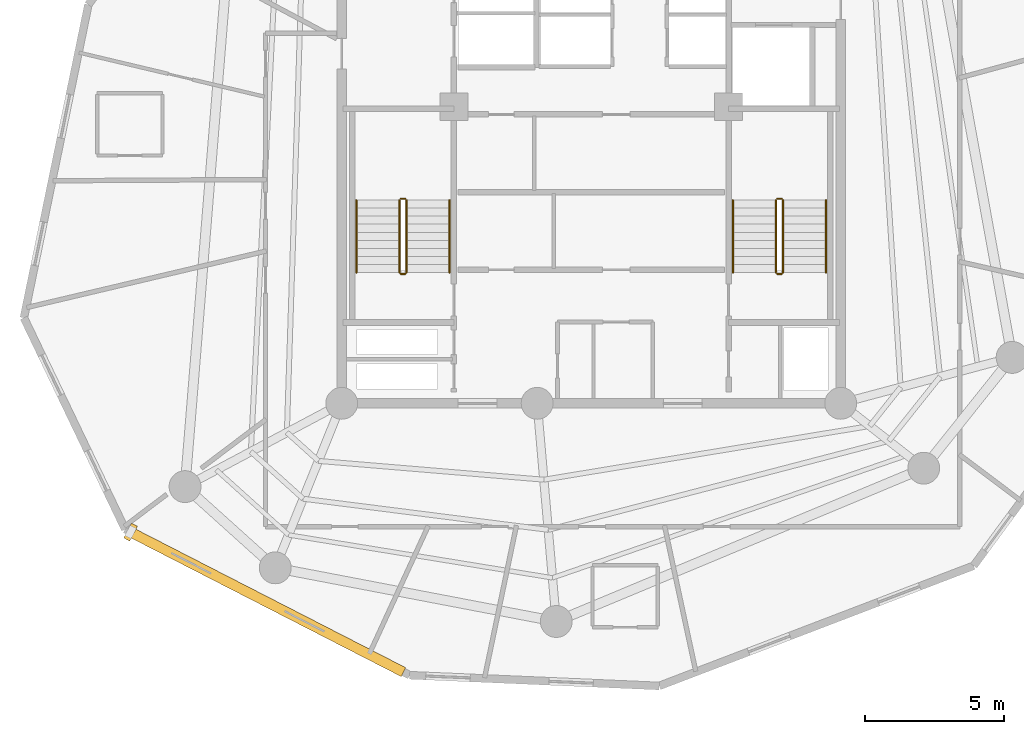
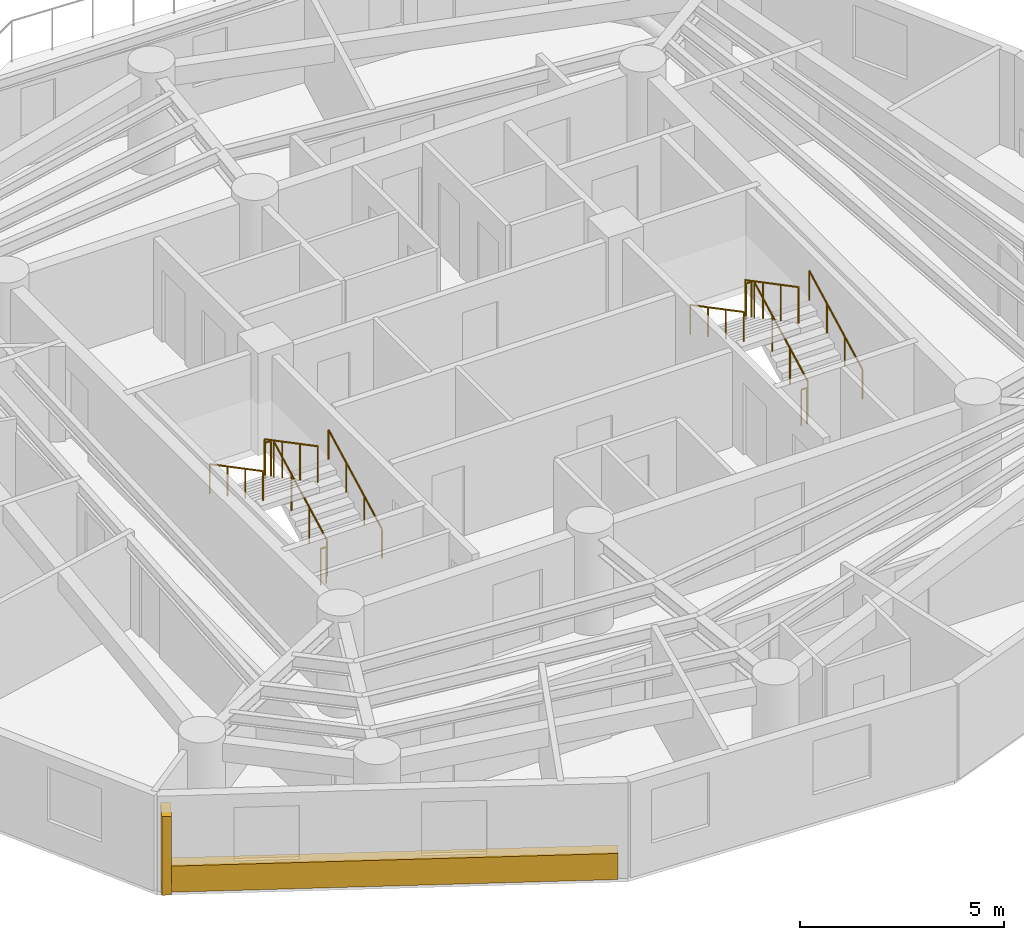
# One storey, part 7 of 8: 12 railings, 1 covering, 1 shading device.
"""IFC4 building model written with IfcOpenShell, lengths in metres."""

from ifc_helpers import new_model, si_unit, direction, frame, origin, origin_with_axes, origin_2d, place, context, subcontext, project, spatial, rectangle, circle, extrude, source, transform, mapped, material, layer, layer_set, type_object, element, save


model = new_model("IFC4")

# Units and contexts
model_context = context("Model", 3, precision=1e-05, world=origin(), true_north=direction((0.0, 1.0)))
body_context = subcontext(model_context, "Body", "Model", "MODEL_VIEW")
ifc_project = project(units=[si_unit("LENGTHUNIT", "METRE"), si_unit("AREAUNIT", "SQUARE_METRE"), si_unit("VOLUMEUNIT", "CUBIC_METRE"), si_unit("PLANEANGLEUNIT", "RADIAN"), si_unit("MASSUNIT", "GRAM", prefix="KILO")], contexts=[model_context])

# Site, building, storey
site_placement = place(None, origin())
site = spatial("IfcSite", under=ifc_project, at=site_placement, CompositionType="ELEMENT")
building_placement = place(site_placement, origin())
building = spatial("IfcBuilding", under=site, at=building_placement, Name="Karkom Vertical University and Central Library", CompositionType="ELEMENT")
storey_placement = place(building_placement, frame((0.0, 0.0, 250.449951171875)))
storey = spatial("IfcBuildingStorey", under=building, at=storey_placement, Name="L74", CompositionType="ELEMENT", Elevation=250.449951171875)

# Railings
ifc_material_1 = material(Name="Painted galvanised steel balustrade", Category="steel")
ifc_layer_1 = layer(ifc_material_1, 0.06005859375)
ifc_layer_set_1 = layer_set([ifc_layer_1], Name="Painted galvanised steel balustrade")
railing_type_1 = type_object("IfcRailingType", Name="INT-RL-GUARD1100", PredefinedType="GUARDRAIL", material=ifc_layer_set_1)
railing_1_placement = place(storey_placement, frame((21.840087890625, 23.02001953125, 0.152587890625)))
element("IfcRailing", 1, at=railing_1_placement, inside=storey, type_object=railing_type_1, Name="Level 74 ST-1 stair guard 1", PredefinedType="GUARDRAIL", context=body_context, shape_type="SweptSolid", body=[
    extrude(circle(Radius=0.02392578125, at=origin_2d()), frame((0.0, 0.0, 1.076171875), z_axis=(0.0, 0.885065446896, 0.46546659892), x_axis=(-1.0, 0.0, 0.0)), (0.0, 0.0, 1.0), 2.94873046875),
    extrude(circle(Radius=0.02099609375, at=origin_2d()), origin(), (0.0, 0.0, 1.0), 1.052001953125),
    extrude(circle(Radius=0.02099609375, at=origin_2d()), frame((0.0, 0.869873046875, 0.45751953125)), (0.0, 0.0, 1.0), 1.052001953125),
    extrude(circle(Radius=0.02099609375, at=origin_2d()), frame((0.0, 1.739990234375, 0.9150390625)), (0.0, 0.0, 1.0), 1.052001953125),
    extrude(circle(Radius=0.02099609375, at=origin_2d()), frame((0.0, 2.60986328125, 1.37255859375)), (0.0, 0.0, 1.0), 1.052001953125),
])
railing_2_placement = place(storey_placement, frame((21.7900390625, 25.679931640625, 1.525146484375)))
element("IfcRailing", 2, at=railing_2_placement, inside=storey, type_object=railing_type_1, Name="Level 74 ST-1 stair guard 2", PredefinedType="GUARDRAIL", context=body_context, shape_type="SweptSolid", body=[
    extrude(circle(Radius=0.02392578125, at=origin_2d()), frame((0.0, 0.0, 1.076171875), z_axis=(-1.0, 0.0, 0.0), x_axis=(0.0, -1.0, 0.0)), (0.0, 0.0, 1.0), 0.16015625),
    extrude(circle(Radius=0.02099609375, at=origin_2d()), origin(), (0.0, 0.0, 1.0), 1.052001953125),
    extrude(circle(Radius=0.02099609375, at=origin_2d()), frame((-0.16015625, 0.0, 0.0)), (0.0, 0.0, 1.0), 1.052001953125),
])
railing_3_placement = place(storey_placement, frame((21.580078125, 25.6298828125, 1.677490234375)))
element("IfcRailing", 3, at=railing_3_placement, inside=storey, type_object=railing_type_1, Name="Level 74 ST-1 stair guard 3", PredefinedType="GUARDRAIL", context=body_context, shape_type="SweptSolid", body=[
    extrude(circle(Radius=0.02392578125, at=origin_2d()), frame((0.0, 0.0, 1.076171875), z_axis=(0.0, -0.885065446896, 0.46546659892), x_axis=(1.0, 0.0, 0.0)), (0.0, 0.0, 1.0), 2.94873046875),
    extrude(circle(Radius=0.02099609375, at=origin_2d()), origin(), (0.0, 0.0, 1.0), 1.052001953125),
    extrude(circle(Radius=0.02099609375, at=origin_2d()), frame((0.0, -0.869873046875, 0.45751953125)), (0.0, 0.0, 1.0), 1.052001953125),
    extrude(circle(Radius=0.02099609375, at=origin_2d()), frame((0.0, -1.739990234375, 0.9150390625)), (0.0, 0.0, 1.0), 1.052001953125),
    extrude(circle(Radius=0.02099609375, at=origin_2d()), frame((0.0, -2.60986328125, 1.37255859375)), (0.0, 0.0, 1.0), 1.052001953125),
])
railing_4_placement = place(storey_placement, frame((21.7900390625, 22.969970703125, 0.0)))
element("IfcRailing", 4, at=railing_4_placement, inside=storey, type_object=railing_type_1, Name="Level 74 ST-1 stair guard 4", PredefinedType="GUARDRAIL", context=body_context, shape_type="SweptSolid", body=[
    extrude(circle(Radius=0.02392578125, at=origin_2d()), frame((0.0, 0.0, 1.076171875), z_axis=(-1.0, 0.0, 0.0), x_axis=(0.0, -1.0, 0.0)), (0.0, 0.0, 1.0), 0.16015625),
    extrude(circle(Radius=0.02099609375, at=origin_2d()), origin(), (0.0, 0.0, 1.0), 1.052001953125),
    extrude(circle(Radius=0.02099609375, at=origin_2d()), frame((-0.16015625, 0.0, 0.0)), (0.0, 0.0, 1.0), 1.052001953125),
])
railing_5_placement = place(storey_placement, frame((35.419921875, 23.02001953125, 0.152587890625)))
element("IfcRailing", 5, at=railing_5_placement, inside=storey, type_object=railing_type_1, Name="Level 74 ST-2 stair guard 1", PredefinedType="GUARDRAIL", context=body_context, shape_type="SweptSolid", body=[
    extrude(circle(Radius=0.02392578125, at=origin_2d()), frame((0.0, 0.0, 1.076171875), z_axis=(0.0, 0.885065446896, 0.46546659892), x_axis=(-1.0, 0.0, 0.0)), (0.0, 0.0, 1.0), 2.94873046875),
    extrude(circle(Radius=0.02099609375, at=origin_2d()), origin(), (0.0, 0.0, 1.0), 1.052001953125),
    extrude(circle(Radius=0.02099609375, at=origin_2d()), frame((0.0, 0.869873046875, 0.45751953125)), (0.0, 0.0, 1.0), 1.052001953125),
    extrude(circle(Radius=0.02099609375, at=origin_2d()), frame((0.0, 1.739990234375, 0.9150390625)), (0.0, 0.0, 1.0), 1.052001953125),
    extrude(circle(Radius=0.02099609375, at=origin_2d()), frame((0.0, 2.60986328125, 1.37255859375)), (0.0, 0.0, 1.0), 1.052001953125),
])
railing_6_placement = place(storey_placement, frame((35.3701171875, 25.679931640625, 1.525146484375)))
element("IfcRailing", 6, at=railing_6_placement, inside=storey, type_object=railing_type_1, Name="Level 74 ST-2 stair guard 2", PredefinedType="GUARDRAIL", context=body_context, shape_type="SweptSolid", body=[
    extrude(circle(Radius=0.02392578125, at=origin_2d()), frame((0.0, 0.0, 1.076171875), z_axis=(-1.0, 0.0, 0.0), x_axis=(0.0, -1.0, 0.0)), (0.0, 0.0, 1.0), 0.16015625),
    extrude(circle(Radius=0.02099609375, at=origin_2d()), origin(), (0.0, 0.0, 1.0), 1.052001953125),
    extrude(circle(Radius=0.02099609375, at=origin_2d()), frame((-0.16015625, 0.0, 0.0)), (0.0, 0.0, 1.0), 1.052001953125),
])
railing_7_placement = place(storey_placement, frame((35.159912109375, 25.6298828125, 1.677490234375)))
element("IfcRailing", 7, at=railing_7_placement, inside=storey, type_object=railing_type_1, Name="Level 74 ST-2 stair guard 3", PredefinedType="GUARDRAIL", context=body_context, shape_type="SweptSolid", body=[
    extrude(circle(Radius=0.02392578125, at=origin_2d()), frame((0.0, 0.0, 1.076171875), z_axis=(0.0, -0.885065446896, 0.46546659892), x_axis=(1.0, 0.0, 0.0)), (0.0, 0.0, 1.0), 2.94873046875),
    extrude(circle(Radius=0.02099609375, at=origin_2d()), origin(), (0.0, 0.0, 1.0), 1.052001953125),
    extrude(circle(Radius=0.02099609375, at=origin_2d()), frame((0.0, -0.869873046875, 0.45751953125)), (0.0, 0.0, 1.0), 1.052001953125),
    extrude(circle(Radius=0.02099609375, at=origin_2d()), frame((0.0, -1.739990234375, 0.9150390625)), (0.0, 0.0, 1.0), 1.052001953125),
    extrude(circle(Radius=0.02099609375, at=origin_2d()), frame((0.0, -2.60986328125, 1.37255859375)), (0.0, 0.0, 1.0), 1.052001953125),
])
railing_8_placement = place(storey_placement, frame((35.3701171875, 22.969970703125, 0.0)))
element("IfcRailing", 8, at=railing_8_placement, inside=storey, type_object=railing_type_1, Name="Level 74 ST-2 stair guard 4", PredefinedType="GUARDRAIL", context=body_context, shape_type="SweptSolid", body=[
    extrude(circle(Radius=0.02392578125, at=origin_2d()), frame((0.0, 0.0, 1.076171875), z_axis=(-1.0, 0.0, 0.0), x_axis=(0.0, -1.0, 0.0)), (0.0, 0.0, 1.0), 0.16015625),
    extrude(circle(Radius=0.02099609375, at=origin_2d()), origin(), (0.0, 0.0, 1.0), 1.052001953125),
    extrude(circle(Radius=0.02099609375, at=origin_2d()), frame((-0.16015625, 0.0, 0.0)), (0.0, 0.0, 1.0), 1.052001953125),
])
ifc_material_2 = material(Name="Brushed stainless-steel tubular handrail", Category="steel")
ifc_layer_2 = layer(ifc_material_2, 0.048095703125)
ifc_layer_set_2 = layer_set([ifc_layer_2], Name="Brushed stainless-steel tubular handrail")
railing_type_2 = type_object("IfcRailingType", Name="INT-RL-HAND920", PredefinedType="HANDRAIL", material=ifc_layer_set_2)
railing_9_placement = place(storey_placement, frame((23.389892578125, 23.02001953125, 0.152587890625)))
element("IfcRailing", 9, at=railing_9_placement, inside=storey, type_object=railing_type_2, Name="Level 74 ST-1 stair handrail 1", PredefinedType="HANDRAIL", context=body_context, shape_type="SweptSolid", body=[
    extrude(circle(Radius=0.02392578125, at=origin_2d()), frame((0.0, 0.0, 0.8759765625), z_axis=(0.0, 0.885065446896, 0.46546659892), x_axis=(-1.0, 0.0, 0.0)), (0.0, 0.0, 1.0), 2.94873046875),
    extrude(circle(Radius=0.02099609375, at=origin_2d()), origin(), (0.0, 0.0, 1.0), 0.851806640625),
    extrude(circle(Radius=0.02099609375, at=origin_2d()), frame((0.0, 0.869873046875, 0.45751953125)), (0.0, 0.0, 1.0), 0.851806640625),
    extrude(circle(Radius=0.02099609375, at=origin_2d()), frame((0.0, 1.739990234375, 0.9150390625)), (0.0, 0.0, 1.0), 0.851806640625),
    extrude(circle(Radius=0.02099609375, at=origin_2d()), frame((0.0, 2.60986328125, 1.37255859375)), (0.0, 0.0, 1.0), 0.851806640625),
])
railing_10_placement = place(storey_placement, frame((20.030029296875, 25.6298828125, 1.677490234375)))
element("IfcRailing", 10, at=railing_10_placement, inside=storey, type_object=railing_type_2, Name="Level 74 ST-1 stair handrail 2", PredefinedType="HANDRAIL", context=body_context, shape_type="SweptSolid", body=[
    extrude(circle(Radius=0.02392578125, at=origin_2d()), frame((0.0, 0.0, 0.8759765625), z_axis=(0.0, -0.885065446896, 0.46546659892), x_axis=(1.0, 0.0, 0.0)), (0.0, 0.0, 1.0), 2.94873046875),
    extrude(circle(Radius=0.02099609375, at=origin_2d()), origin(), (0.0, 0.0, 1.0), 0.851806640625),
    extrude(circle(Radius=0.02099609375, at=origin_2d()), frame((0.0, -0.869873046875, 0.45751953125)), (0.0, 0.0, 1.0), 0.851806640625),
    extrude(circle(Radius=0.02099609375, at=origin_2d()), frame((0.0, -1.739990234375, 0.9150390625)), (0.0, 0.0, 1.0), 0.851806640625),
    extrude(circle(Radius=0.02099609375, at=origin_2d()), frame((0.0, -2.60986328125, 1.37255859375)), (0.0, 0.0, 1.0), 0.851806640625),
])
railing_11_placement = place(storey_placement, frame((36.969970703125, 23.02001953125, 0.152587890625)))
element("IfcRailing", 11, at=railing_11_placement, inside=storey, type_object=railing_type_2, Name="Level 74 ST-2 stair handrail 1", PredefinedType="HANDRAIL", context=body_context, shape_type="SweptSolid", body=[
    extrude(circle(Radius=0.02392578125, at=origin_2d()), frame((0.0, 0.0, 0.8759765625), z_axis=(0.0, 0.885065446896, 0.46546659892), x_axis=(-1.0, 0.0, 0.0)), (0.0, 0.0, 1.0), 2.94873046875),
    extrude(circle(Radius=0.02099609375, at=origin_2d()), origin(), (0.0, 0.0, 1.0), 0.851806640625),
    extrude(circle(Radius=0.02099609375, at=origin_2d()), frame((0.0, 0.869873046875, 0.45751953125)), (0.0, 0.0, 1.0), 0.851806640625),
    extrude(circle(Radius=0.02099609375, at=origin_2d()), frame((0.0, 1.739990234375, 0.9150390625)), (0.0, 0.0, 1.0), 0.851806640625),
    extrude(circle(Radius=0.02099609375, at=origin_2d()), frame((0.0, 2.60986328125, 1.37255859375)), (0.0, 0.0, 1.0), 0.851806640625),
])
railing_12_placement = place(storey_placement, frame((33.610107421875, 25.6298828125, 1.677490234375)))
element("IfcRailing", 12, at=railing_12_placement, inside=storey, type_object=railing_type_2, Name="Level 74 ST-2 stair handrail 2", PredefinedType="HANDRAIL", context=body_context, shape_type="SweptSolid", body=[
    extrude(circle(Radius=0.02392578125, at=origin_2d()), frame((0.0, 0.0, 0.8759765625), z_axis=(0.0, -0.885065446896, 0.46546659892), x_axis=(1.0, 0.0, 0.0)), (0.0, 0.0, 1.0), 2.94873046875),
    extrude(circle(Radius=0.02099609375, at=origin_2d()), origin(), (0.0, 0.0, 1.0), 0.851806640625),
    extrude(circle(Radius=0.02099609375, at=origin_2d()), frame((0.0, -0.869873046875, 0.45751953125)), (0.0, 0.0, 1.0), 0.851806640625),
    extrude(circle(Radius=0.02099609375, at=origin_2d()), frame((0.0, -1.739990234375, 0.9150390625)), (0.0, 0.0, 1.0), 0.851806640625),
    extrude(circle(Radius=0.02099609375, at=origin_2d()), frame((0.0, -2.60986328125, 1.37255859375)), (0.0, 0.0, 1.0), 0.851806640625),
])

# Shading device
ifc_material_3 = material(Name="Terracotta-clad precast concrete sun-breaker fin C45/55", Category="masonry")
shading_device_type = type_object("IfcShadingDeviceType", Name="ENV-SHD-BRISE", PredefinedType="USERDEFINED", material=ifc_material_3)
shared_shape_1 = source(origin_with_axes(), body_context, "Body", "SweptSolid", [
    extrude(rectangle(XDim=0.239990234375, YDim=0.60009765625, at=origin_2d()), origin(), (0.0, 0.0, 1.0), 2.35009765625),
])
shading_device_placement = place(storey_placement, frame((11.884521484375, 13.65380859375, 0.0), z_axis=(0.0, 0.0, 1.0), x_axis=(0.889735271073, -0.456476885952, 0.0)))
element("IfcShadingDevice", 13, at=shading_device_placement, inside=storey, type_object=shading_device_type, Name="Level 74 Brutalist Brise-Soleil Fin 01", ObjectType="BRISE SOLEIL", PredefinedType="USERDEFINED", context=body_context, shape_type="MappedRepresentation", body=[
    mapped(shared_shape_1, transform((0.0, 0.0, 0.0), scale=1.0)),
])

# Covering
ifc_material_4 = material(Name="Hand-pressed red-ochre terracotta brick slip cladding", Category="masonry")
ifc_layer_3 = layer(ifc_material_4, 0.090087890625)
ifc_layer_set_3 = layer_set([ifc_layer_3], Name="Hand-pressed red-ochre terracotta brick slip cladding")
covering_type = type_object("IfcCoveringType", Name="ENV-COV-CLAD", PredefinedType="CLADDING", material=ifc_layer_set_3)
shared_shape_2 = source(origin_with_axes(), body_context, "Body", "SweptSolid", [
    extrude(rectangle(XDim=11.032958984375, YDim=0.360107421875, at=origin_2d()), origin(), (0.0, 0.0, 1.0), 0.780029296875),
])
covering_placement = place(storey_placement, frame((16.819580078125, 11.121826171875, 0.0), z_axis=(0.0, 0.0, 1.0), x_axis=(0.889735271073, -0.456476885952, 0.0)))
element("IfcCovering", 14, at=covering_placement, inside=storey, type_object=covering_type, Name="Level 74 Terracotta Spandrel Cladding 01", PredefinedType="CLADDING", context=body_context, shape_type="MappedRepresentation", body=[
    mapped(shared_shape_2, transform((0.0, 0.0, 0.0), scale=1.0)),
])

save(model, "model.ifc")
